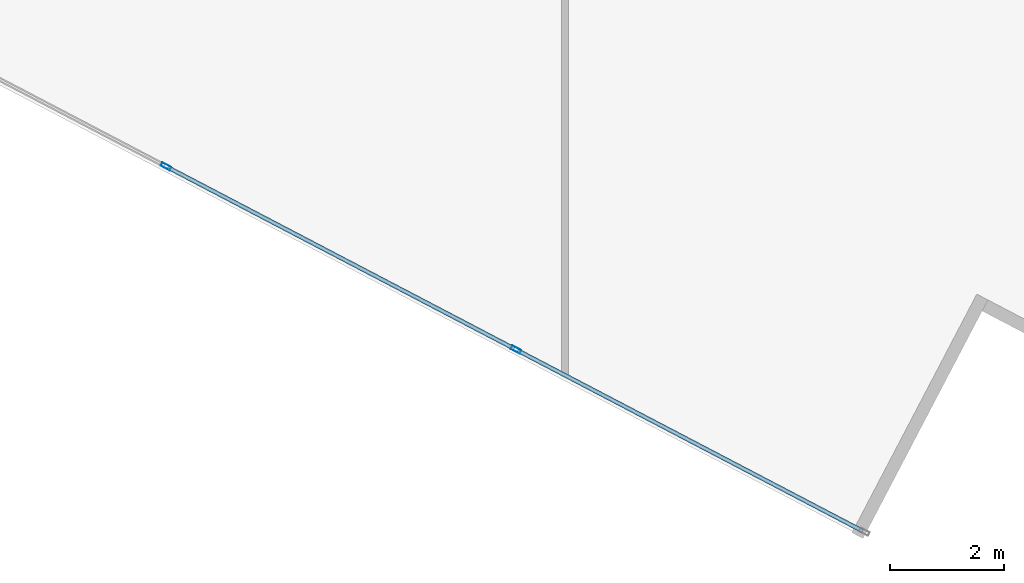
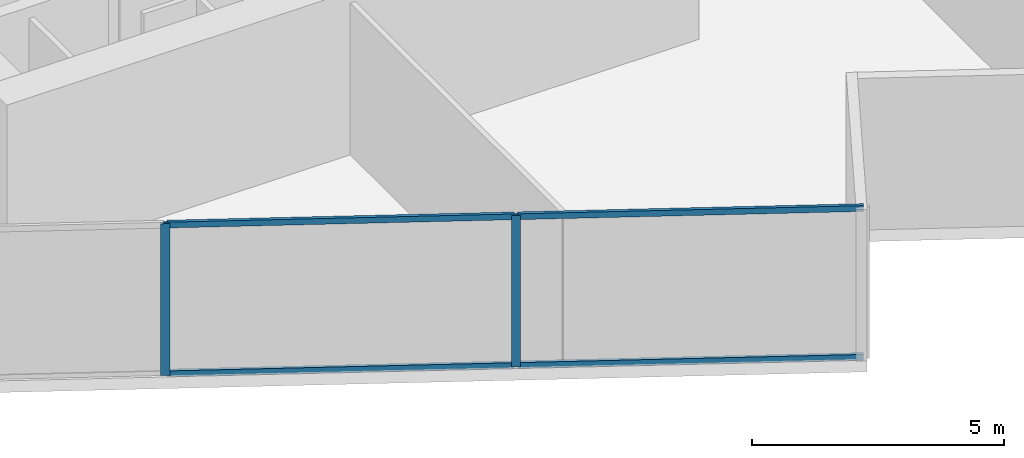
# One storey, part 3 of 27: 6 members, 1 element without a shape of its own.
"""IFC4 building model written with IfcOpenShell, lengths in metres."""

from ifc_helpers import new_model, si_unit, direction, frame, origin, origin_2d, place, context, subcontext, project, spatial, hollow_rectangle, extrude, source, transform, mapped, material, material_profile, profile_set, type_object, type_shapes, element, aggregate, save


model = new_model("IFC4")

# Units and contexts
model_context = context("Model", 3, precision=1e-05, world=origin(), true_north=direction((0.0, 1.0)))
body_context = subcontext(model_context, "Body", "Model", "MODEL_VIEW")
ifc_project = project(units=[si_unit("LENGTHUNIT", "METRE"), si_unit("AREAUNIT", "SQUARE_METRE"), si_unit("VOLUMEUNIT", "CUBIC_METRE"), si_unit("PLANEANGLEUNIT", "RADIAN"), si_unit("MASSUNIT", "GRAM", prefix="KILO")], contexts=[model_context])

# Site, building, storey
site_placement = place(None, origin())
site = spatial("IfcSite", under=ifc_project, at=site_placement, CompositionType="ELEMENT")
building_placement = place(site_placement, origin())
building = spatial("IfcBuilding", under=site, at=building_placement, Name="Krantzveldt Concourse Tower", CompositionType="ELEMENT")
storey_placement = place(building_placement, frame((0.0, 0.0, 158.050048828125)))
storey = spatial("IfcBuildingStorey", under=building, at=storey_placement, Name="L38", CompositionType="ELEMENT", Elevation=158.050048828125)

# Curtain wall, members
ifc_material = material(Name="Anodised aluminium 6063-T6", Category="aluminium")
curtain_wall_type = type_object("IfcCurtainWallType", Name="CW3", PredefinedType="USERDEFINED", material=ifc_material)
curtain_wall_placement = place(storey_placement, origin())
curtain_wall = element("IfcCurtainWall", 1, at=curtain_wall_placement, inside=storey, type_object=curtain_wall_type, Name="CW-L38-F04", ObjectType="UNITISED CURTAIN WALL", PredefinedType="USERDEFINED")
ifc_material_profile_1 = material_profile(ifc_material, hollow_rectangle(XDim=0.070068359375, YDim=0.179931640625, WallThickness=0.0048828125, at=origin_2d()), Name="Anodised aluminium 6063-T6", Category="aluminium")
ifc_profile_set_1 = profile_set([ifc_material_profile_1], Name="Anodised aluminium 6063-T6 - ALU-MULL 180x70x5")
member_type_1 = type_object("IfcMemberType", Name="CW-MUL-180", PredefinedType="MULLION", material=ifc_profile_set_1)
shared_shape_1 = source(origin(), body_context, "Body", "SweptSolid", [
    extrude(hollow_rectangle(XDim=0.070068359375, YDim=0.179931640625, WallThickness=0.0048828125, at=origin_2d()), origin(), (0.0, 0.0, 1.0), 3.669921875),
])
type_shapes(member_type_1, [shared_shape_1])
member_1_placement = place(storey_placement, frame((28.970458984375, 5.7626953125, 0.0), z_axis=(0.0, 0.0, 1.0), x_axis=(0.463682819502, 0.886001265743, 0.0)))
member_1 = element("IfcMember", 2, at=member_1_placement, type_object=member_type_1, Name="CW-Z34 mullion 4", PredefinedType="MULLION", context=body_context, shape_type="MappedRepresentation", body=[
    mapped(shared_shape_1, transform((0.0, 0.0, 0.0), x_axis=(1.0, 0.0, 0.0), y_axis=(0.0, 1.0, 0.0), z_axis=(0.0, 0.0, 1.0), scale=1.0)),
])
member_2_placement = place(storey_placement, frame((35.136962890625, 2.535400390625, 0.0), z_axis=(0.0, 0.0, 1.0), x_axis=(0.463682819502, 0.886001265743, 0.0)))
member_2 = element("IfcMember", 3, at=member_2_placement, type_object=member_type_1, Name="CW-Z34 mullion 5", PredefinedType="MULLION", context=body_context, shape_type="MappedRepresentation", body=[
    mapped(shared_shape_1, transform((0.0, 0.0, 0.0), x_axis=(1.0, 0.0, 0.0), y_axis=(0.0, 1.0, 0.0), z_axis=(0.0, 0.0, 1.0), scale=1.0)),
])
ifc_material_profile_2 = material_profile(ifc_material, hollow_rectangle(XDim=0.070068359375, YDim=0.139892578125, WallThickness=0.0048828125, at=origin_2d()), Name="Anodised aluminium 6063-T6", Category="aluminium")
ifc_profile_set_2 = profile_set([ifc_material_profile_2], Name="Anodised aluminium 6063-T6 - ALU-TRAN 140x70x5")
member_type_2 = type_object("IfcMemberType", Name="CW-TRN-150", PredefinedType="USERDEFINED", material=ifc_profile_set_2)
shared_shape_2 = source(origin(), body_context, "Body", "SweptSolid", [
    extrude(hollow_rectangle(XDim=0.070068359375, YDim=0.139892578125, WallThickness=0.0048828125, at=origin_2d()), origin(), (0.0, 0.0, 1.0), 6.85498046875),
])
member_3_placement = place(storey_placement, frame((35.16796875, 2.519287109375, 0.034912109375), z_axis=(0.885989722542, -0.463704875487, 0.0), x_axis=(0.463704875487, 0.885989722542, 0.0)))
member_3 = element("IfcMember", 4, at=member_3_placement, type_object=member_type_2, Name="CW-Z34 transom 5.1", ObjectType="TRANSOM", PredefinedType="USERDEFINED", context=body_context, shape_type="MappedRepresentation", body=[
    mapped(shared_shape_2, transform((0.0, 0.0, 0.0), x_axis=(1.0, 0.0, 0.0), y_axis=(0.0, 1.0, 0.0), z_axis=(0.0, 0.0, 1.0), scale=1.0)),
])
member_4_placement = place(storey_placement, frame((35.16796875, 2.519287109375, 3.635009765625), z_axis=(0.885989722542, -0.463704875487, 0.0), x_axis=(0.463704875487, 0.885989722542, 0.0)))
member_4 = element("IfcMember", 5, at=member_4_placement, type_object=member_type_2, Name="CW-Z34 transom 5.2", ObjectType="TRANSOM", PredefinedType="USERDEFINED", context=body_context, shape_type="MappedRepresentation", body=[
    mapped(shared_shape_2, transform((0.0, 0.0, 0.0), x_axis=(1.0, 0.0, 0.0), y_axis=(0.0, 1.0, 0.0), z_axis=(0.0, 0.0, 1.0), scale=1.0)),
])
shared_shape_3 = source(origin(), body_context, "Body", "SweptSolid", [
    extrude(hollow_rectangle(XDim=0.070068359375, YDim=0.139892578125, WallThickness=0.0048828125, at=origin_2d()), origin(), (0.0, 0.0, 1.0), 6.889892578125),
])
type_shapes(member_type_2, [shared_shape_2, shared_shape_3])
member_5_placement = place(storey_placement, frame((29.00146484375, 5.74658203125, 0.034912109375), z_axis=(0.885996544559, -0.46369184059, 0.0), x_axis=(0.46369184059, 0.885996544559, 0.0)))
member_5 = element("IfcMember", 6, at=member_5_placement, type_object=member_type_2, Name="CW-Z34 transom 4.1", ObjectType="TRANSOM", PredefinedType="USERDEFINED", context=body_context, shape_type="MappedRepresentation", body=[
    mapped(shared_shape_3, transform((0.0, 0.0, 0.0), x_axis=(1.0, 0.0, 0.0), y_axis=(0.0, 1.0, 0.0), z_axis=(0.0, 0.0, 1.0), scale=1.0)),
])
member_6_placement = place(storey_placement, frame((29.00146484375, 5.74658203125, 3.635009765625), z_axis=(0.885996544559, -0.46369184059, 0.0), x_axis=(0.46369184059, 0.885996544559, 0.0)))
member_6 = element("IfcMember", 7, at=member_6_placement, type_object=member_type_2, Name="CW-Z34 transom 4.2", ObjectType="TRANSOM", PredefinedType="USERDEFINED", context=body_context, shape_type="MappedRepresentation", body=[
    mapped(shared_shape_3, transform((0.0, 0.0, 0.0), x_axis=(1.0, 0.0, 0.0), y_axis=(0.0, 1.0, 0.0), z_axis=(0.0, 0.0, 1.0), scale=1.0)),
])
aggregate(curtain_wall, [member_1, member_2, member_5, member_6, member_3, member_4])

save(model, "model.ifc")
